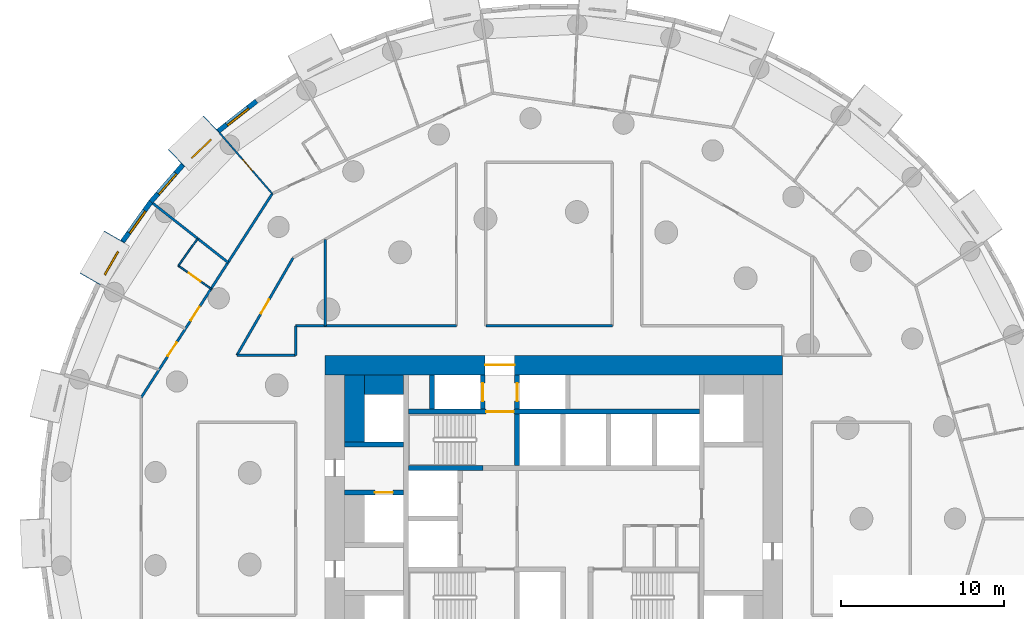
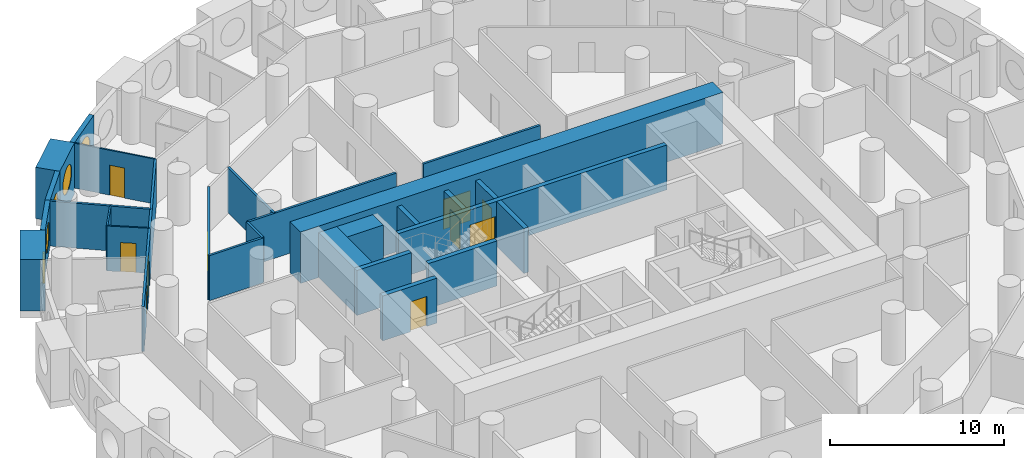
# One storey, part 7 of 12: 27 walls, 10 doors, 5 windows, 15 openings.
"""IFC4 building model written with IfcOpenShell, lengths in metres."""

from ifc_helpers import new_model, si_unit, direction, frame, frame_2d, origin, origin_2d, place, context, subcontext, project, spatial, rectangle, circle, extrude, material, layer, layer_set, type_object, element, fill, save


model = new_model("IFC4")

# Units and contexts
model_context = context("Model", 3, precision=1e-05, world=origin(), true_north=direction((0.0, 1.0)))
body_context = subcontext(model_context, "Body", "Model", "MODEL_VIEW")
ifc_project = project(units=[si_unit("LENGTHUNIT", "METRE"), si_unit("AREAUNIT", "SQUARE_METRE"), si_unit("VOLUMEUNIT", "CUBIC_METRE"), si_unit("PLANEANGLEUNIT", "RADIAN"), si_unit("MASSUNIT", "GRAM", prefix="KILO")], contexts=[model_context])

# Site, building, storey
site_placement = place(None, origin())
site = spatial("IfcSite", under=ifc_project, at=site_placement, CompositionType="ELEMENT")
building_placement = place(site_placement, origin())
building = spatial("IfcBuilding", under=site, at=building_placement, Name="Tracery Tower", CompositionType="ELEMENT")
storey_placement = place(building_placement, frame((0.0, 0.0, 82.199951171875)))
storey = spatial("IfcBuildingStorey", under=building, at=storey_placement, Name="L20", CompositionType="ELEMENT", Elevation=82.199951171875)

# Walls
ifc_material_1 = material(Name="Concrete C60/75", Category="concrete")
ifc_layer_1 = layer(ifc_material_1, 1.199951171875)
ifc_layer_set_1 = layer_set([ifc_layer_1], Name="Core strip wall 1200 C60")
wall_type_1 = type_object("IfcWallType", Name="Core strip wall 1200 C60", PredefinedType="SOLIDWALL", material=ifc_layer_set_1)
wall_1_placement = place(storey_placement, frame((-12.199951171875, 4.699951171875, 0.0), z_axis=(0.0, 0.0, 1.0), x_axis=(0.0, 1.0, 0.0)))
element("IfcWall", 1, at=wall_1_placement, inside=storey, type_object=wall_type_1, Name="L20 wing strip -1 4.55", PredefinedType="SOLIDWALL", context=body_context, shape_type="SweptSolid", body=[
    extrude(rectangle(XDim=4.10009765625, YDim=1.199951171875, at=frame_2d((2.050048828125, 0.0))), origin(), (0.0, 0.0, 1.0), 3.150146484375),
])
wall_2_placement = place(storey_placement, frame((-11.60009765625, 8.199951171875, 0.0), z_axis=(0.0, 0.0, 1.0), x_axis=(1.0, 0.0, 0.0)))
element("IfcWall", 2, at=wall_2_placement, inside=storey, type_object=wall_type_1, Name="L20 wing corner -1 +8.2", PredefinedType="SOLIDWALL", context=body_context, shape_type="SweptSolid", body=[
    extrude(rectangle(XDim=2.400146484375, YDim=1.199951171875, at=frame_2d((1.2001953125, 0.0))), origin(), (0.0, 0.0, 1.0), 3.150146484375),
])

# Wall, opening, door
ifc_material_2 = material(Name="Concrete C60/75", Category="concrete")
ifc_layer_2 = layer(ifc_material_2, 1.199951171875)
ifc_layer_set_2 = layer_set([ifc_layer_2], Name="Core wall 1200 C60")
wall_type_2 = type_object("IfcWallType", Name="Core wall 1200 C60", PredefinedType="SOLIDWALL", material=ifc_layer_set_2)
wall_3_placement = place(storey_placement, frame((-14.0, 9.39990234375, 0.0), z_axis=(0.0, 0.0, 1.0), x_axis=(1.0, 0.0, 0.0)))
wall_3 = element("IfcWall", 3, at=wall_3_placement, inside=storey, type_object=wall_type_2, Name="L20 outer N", PredefinedType="SOLIDWALL", context=body_context, shape_type="SweptSolid", body=[
    extrude(rectangle(XDim=28.0, YDim=1.199951171875, at=frame_2d((14.0, 0.0))), origin(), (0.0, 0.0, 1.0), 3.60009765625),
])
opening_1_placement = place(wall_3_placement, frame((9.800048828125, 0.0, 0.0)))
opening_1 = element("IfcOpeningElement", 4, at=opening_1_placement, cuts=wall_3, Name="Opening KD13", PredefinedType="OPENING", context=body_context, shape_type="SweptSolid", body=[
    extrude(rectangle(XDim=1.800048828125, YDim=2.10009765625, at=frame_2d((0.89990234375, 1.050048828125))), frame((0.0, 0.60009765625, 0.0), z_axis=(0.0, -1.0, 0.0), x_axis=(1.0, 0.0, 0.0)), (0.0, 0.0, 1.0), 1.199951171875),
])
ifc_material_3 = material(Name="Steel fire door", Category="steel")
door_type_1 = type_object("IfcDoorType", Name="Core exit door 1800 double", OperationType="NOTDEFINED", PredefinedType="DOOR", material=ifc_material_3)
door_1_placement = place(opening_1_placement, origin())
door_1 = element("IfcDoor", 5, at=door_1_placement, inside=storey, type_object=door_type_1, Name="Core exit door", OperationType="DOUBLE_DOOR_SINGLE_SWING", OverallHeight=2.10009765625, OverallWidth=1.800048828125, PredefinedType="DOOR", context=body_context, shape_type="SweptSolid", body=[
    extrude(rectangle(XDim=1.800048828125, YDim=2.10009765625, at=frame_2d((0.89990234375, 1.050048828125))), frame((0.0, 0.02490234375, 0.0), z_axis=(0.0, -1.0, 0.0), x_axis=(1.0, 0.0, 0.0)), (0.0, 0.0, 1.0), 0.050048828125),
])
fill(opening_1, door_1)

# Wall, opening, window
ifc_material_4 = material(Name="Precast concrete C50/60", Category="concrete")
ifc_layer_3 = layer(ifc_material_4, 1.449951171875)
ifc_layer_set_3 = layer_set([ifc_layer_3], Name="Deep-set bay unit 3000 x 3600, slab edge 450")
wall_type_3 = type_object("IfcWallType", Name="Deep-set bay unit 3000 x 3600, slab edge 450", PredefinedType="ELEMENTEDWALL", material=ifc_layer_set_3)
wall_4_placement = place(storey_placement, frame((-20.9375, 24.13232421875, -0.449951171875), z_axis=(0.0, 0.0, 1.0), x_axis=(-0.723712023899, -0.690102098579, 0.0)))
wall_4 = element("IfcWall", 6, at=wall_4_placement, inside=storey, type_object=wall_type_3, Name="Deep-set bay unit 25 at L20", PredefinedType="ELEMENTEDWALL", context=body_context, shape_type="SweptSolid", body=[
    extrude(rectangle(XDim=3.0, YDim=1.449951171875, at=frame_2d((1.5, 0.0))), origin(), (0.0, 0.0, 1.0), 3.60009765625),
])
opening_2_placement = place(wall_4_placement, frame((1.5, 0.0, 2.0)))
opening_2 = element("IfcOpeningElement", 7, at=opening_2_placement, cuts=wall_4, Name="Opening WN1", PredefinedType="OPENING", context=body_context, shape_type="SweptSolid", body=[
    extrude(circle(Radius=0.9000244140625, at=origin_2d()), frame((0.0, 0.73486328125, 0.0), z_axis=(0.0, -1.0, 0.0), x_axis=(1.0, 0.0, 0.0)), (0.0, 0.0, 1.0), 1.469970703125),
])
ifc_material_5 = material(Name="Aluminium frame with tinted double glazing", Category="aluminium")
window_type = type_object("IfcWindowType", Name="Round window 1800", PartitioningType="SINGLE_PANEL", PredefinedType="WINDOW", material=ifc_material_5)
window_1_placement = place(opening_2_placement, origin())
window_1 = element("IfcWindow", 8, at=window_1_placement, inside=storey, type_object=window_type, Name="Round window 25 at L20", OverallHeight=1.800048828125, OverallWidth=1.800048828125, PartitioningType="SINGLE_PANEL", PredefinedType="WINDOW", context=body_context, shape_type="SweptSolid", body=[
    extrude(circle(Radius=0.9000244140625, at=origin_2d()), frame((0.0, 0.69482421875, 0.0), z_axis=(0.0, -1.0, 0.0), x_axis=(1.0, 0.0, 0.0)), (0.0, 0.0, 1.0), 0.10009765625),
])
fill(opening_2, window_1)

wall_5_placement = place(storey_placement, frame((-26.88818359375, 17.256103515625, -0.449951171875), z_axis=(0.0, 0.0, 1.0), x_axis=(-0.499990139034, -0.866031096941, 0.0)))
wall_5 = element("IfcWall", 9, at=wall_5_placement, inside=storey, type_object=wall_type_3, Name="Deep-set bay unit 28 at L20", PredefinedType="ELEMENTEDWALL", context=body_context, shape_type="SweptSolid", body=[
    extrude(rectangle(XDim=3.0, YDim=1.449951171875, at=frame_2d((1.5, 0.0))), origin(), (0.0, 0.0, 1.0), 3.60009765625),
])
opening_3_placement = place(wall_5_placement, frame((1.5, 0.0, 2.0)))
opening_3 = element("IfcOpeningElement", 10, at=opening_3_placement, cuts=wall_5, Name="Opening WN1", PredefinedType="OPENING", context=body_context, shape_type="SweptSolid", body=[
    extrude(circle(Radius=0.9000244140625, at=origin_2d()), frame((0.0, 0.73486328125, 0.0), z_axis=(0.0, -1.0, 0.0), x_axis=(1.0, 0.0, 0.0)), (0.0, 0.0, 1.0), 1.469970703125),
])
window_2_placement = place(opening_3_placement, origin())
window_2 = element("IfcWindow", 11, at=window_2_placement, inside=storey, type_object=window_type, Name="Round window 28 at L20", OverallHeight=1.800048828125, OverallWidth=1.800048828125, PartitioningType="SINGLE_PANEL", PredefinedType="WINDOW", context=body_context, shape_type="SweptSolid", body=[
    extrude(circle(Radius=0.9000244140625, at=origin_2d()), frame((0.0, 0.69482421875, 0.0), z_axis=(0.0, -1.0, 0.0), x_axis=(1.0, 0.0, 0.0)), (0.0, 0.0, 1.0), 0.10009765625),
])
fill(opening_3, window_2)

ifc_material_6 = material(Name="Precast concrete C50/60", Category="concrete")
ifc_layer_4 = layer(ifc_material_6, 0.300048828125)
ifc_layer_set_4 = layer_set([ifc_layer_4], Name="Facade panel 3000 x 3150")
wall_type_4 = type_object("IfcWallType", Name="Facade panel 3000 x 3150", PredefinedType="SOLIDWALL", material=ifc_layer_set_4)
wall_6_placement = place(storey_placement, frame((-18.198974609375, 25.556884765625, 0.0), z_axis=(0.0, 0.0, 1.0), x_axis=(-0.786053834673, -0.618158045322, 0.0)))
wall_6 = element("IfcWall", 12, at=wall_6_placement, inside=storey, type_object=wall_type_4, Name="Facade panel 24 at L20", PredefinedType="SOLIDWALL", context=body_context, shape_type="SweptSolid", body=[
    extrude(rectangle(XDim=2.9794921875, YDim=0.300048828125, at=frame_2d((1.48974609375, 0.0))), origin(), (0.0, 0.0, 1.0), 3.150146484375),
])
opening_4_placement = place(wall_6_placement, frame((1.48974609375, 0.0, 1.5498046875)))
opening_4 = element("IfcOpeningElement", 13, at=opening_4_placement, cuts=wall_6, Name="Opening WN1", PredefinedType="OPENING", context=body_context, shape_type="SweptSolid", body=[
    extrude(circle(Radius=0.9000244140625, at=origin_2d()), frame((0.0, 0.159912109375, 0.0), z_axis=(0.0, -1.0, 0.0), x_axis=(1.0, 0.0, 0.0)), (0.0, 0.0, 1.0), 0.320068359375),
])
window_3_placement = place(opening_4_placement, origin())
window_3 = element("IfcWindow", 14, at=window_3_placement, inside=storey, type_object=window_type, Name="Round window 24 at L20", OverallHeight=1.800048828125, OverallWidth=1.800048828125, PartitioningType="SINGLE_PANEL", PredefinedType="WINDOW", context=body_context, shape_type="SweptSolid", body=[
    extrude(circle(Radius=0.9000244140625, at=origin_2d()), frame((0.0, 0.1201171875, 0.0), z_axis=(0.0, -1.0, 0.0), x_axis=(1.0, 0.0, 0.0)), (0.0, 0.0, 1.0), 0.10009765625),
])
fill(opening_4, window_3)

wall_7_placement = place(storey_placement, frame((-22.710693359375, 21.646240234375, 0.0), z_axis=(0.0, 0.0, 1.0), x_axis=(-0.654830712471, -0.755775587066, 0.0)))
wall_7 = element("IfcWall", 15, at=wall_7_placement, inside=storey, type_object=wall_type_4, Name="Facade panel 26 at L20", PredefinedType="SOLIDWALL", context=body_context, shape_type="SweptSolid", body=[
    extrude(rectangle(XDim=2.979736328125, YDim=0.300048828125, at=frame_2d((1.48974609375, 0.0))), origin(), (0.0, 0.0, 1.0), 3.150146484375),
])
opening_5_placement = place(wall_7_placement, frame((1.48974609375, 0.0, 1.5498046875)))
opening_5 = element("IfcOpeningElement", 16, at=opening_5_placement, cuts=wall_7, Name="Opening WN1", PredefinedType="OPENING", context=body_context, shape_type="SweptSolid", body=[
    extrude(circle(Radius=0.9000244140625, at=origin_2d()), frame((0.0, 0.159912109375, 0.0), z_axis=(0.0, -1.0, 0.0), x_axis=(1.0, 0.0, 0.0)), (0.0, 0.0, 1.0), 0.320068359375),
])
window_4_placement = place(opening_5_placement, origin())
window_4 = element("IfcWindow", 17, at=window_4_placement, inside=storey, type_object=window_type, Name="Round window 26 at L20", OverallHeight=1.800048828125, OverallWidth=1.800048828125, PartitioningType="SINGLE_PANEL", PredefinedType="WINDOW", context=body_context, shape_type="SweptSolid", body=[
    extrude(circle(Radius=0.9000244140625, at=origin_2d()), frame((0.0, 0.1201171875, 0.0), z_axis=(0.0, -1.0, 0.0), x_axis=(1.0, 0.0, 0.0)), (0.0, 0.0, 1.0), 0.10009765625),
])
fill(opening_5, window_4)

wall_8_placement = place(storey_placement, frame((-24.661865234375, 19.394287109375, 0.0), z_axis=(0.0, 0.0, 1.0), x_axis=(-0.580113774115, -0.814535456, 0.0)))
wall_8 = element("IfcWall", 18, at=wall_8_placement, inside=storey, type_object=wall_type_4, Name="Facade panel 27 at L20", PredefinedType="SOLIDWALL", context=body_context, shape_type="SweptSolid", body=[
    extrude(rectangle(XDim=2.979736328125, YDim=0.300048828125, at=frame_2d((1.48974609375, 0.0))), origin(), (0.0, 0.0, 1.0), 3.150146484375),
])
opening_6_placement = place(wall_8_placement, frame((1.48974609375, 0.0, 1.5498046875)))
opening_6 = element("IfcOpeningElement", 19, at=opening_6_placement, cuts=wall_8, Name="Opening WN1", PredefinedType="OPENING", context=body_context, shape_type="SweptSolid", body=[
    extrude(circle(Radius=0.9000244140625, at=origin_2d()), frame((0.0, 0.159912109375, 0.0), z_axis=(0.0, -1.0, 0.0), x_axis=(1.0, 0.0, 0.0)), (0.0, 0.0, 1.0), 0.320068359375),
])
window_5_placement = place(opening_6_placement, origin())
window_5 = element("IfcWindow", 20, at=window_5_placement, inside=storey, type_object=window_type, Name="Round window 27 at L20", OverallHeight=1.800048828125, OverallWidth=1.800048828125, PartitioningType="SINGLE_PANEL", PredefinedType="WINDOW", context=body_context, shape_type="SweptSolid", body=[
    extrude(circle(Radius=0.9000244140625, at=origin_2d()), frame((0.0, 0.1201171875, 0.0), z_axis=(0.0, -1.0, 0.0), x_axis=(1.0, 0.0, 0.0)), (0.0, 0.0, 1.0), 0.10009765625),
])
fill(opening_6, window_5)

# Wall, opening, door
ifc_material_7 = material(Name="Plasterboard on steel studs", Category="steel")
ifc_layer_5 = layer(ifc_material_7, 0.10009765625)
ifc_layer_set_5 = layer_set([ifc_layer_5], Name="Partition 100 stud")
wall_type_5 = type_object("IfcWallType", Name="Partition 100 stud", PredefinedType="PARTITIONING", material=ifc_layer_set_5)
wall_9_placement = place(storey_placement, frame((-20.447998046875, 23.597900390625, 0.0), z_axis=(0.0, 0.0, 1.0), x_axis=(0.654847179409, -0.755761319214, 0.0)))
wall_9 = element("IfcWall", 21, at=wall_9_placement, inside=storey, type_object=wall_type_5, Name="Stud partition RA6-081", PredefinedType="PARTITIONING", context=body_context, shape_type="SweptSolid", body=[
    extrude(rectangle(XDim=4.90625, YDim=0.10009765625, at=frame_2d((2.453125, 0.0))), origin(), (0.0, 0.0, 1.0), 3.150146484375),
])
opening_7_placement = place(wall_9_placement, frame((2.1533203125, 0.0, 0.0)))
opening_7 = element("IfcOpeningElement", 22, at=opening_7_placement, cuts=wall_9, Name="Opening RA6-28", PredefinedType="OPENING", context=body_context, shape_type="SweptSolid", body=[
    extrude(rectangle(XDim=0.89990234375, YDim=2.10009765625, at=frame_2d((0.449951171875, 1.050048828125))), frame((0.0, 0.050048828125, 0.0), z_axis=(0.0, -1.0, 0.0), x_axis=(1.0, 0.0, 0.0)), (0.0, 0.0, 1.0), 0.10009765625),
])
ifc_material_8 = material(Name="Timber door leaf", Category="wood")
door_type_2 = type_object("IfcDoorType", Name="Door bedroom 900", OperationType="NOTDEFINED", PredefinedType="DOOR", material=ifc_material_8)
door_2_placement = place(opening_7_placement, origin())
door_2 = element("IfcDoor", 23, at=door_2_placement, inside=storey, type_object=door_type_2, Name="Bedroom door RA6-28", OperationType="SINGLE_SWING_LEFT", OverallHeight=2.10009765625, OverallWidth=0.89990234375, PredefinedType="DOOR", context=body_context, shape_type="SweptSolid", body=[
    extrude(rectangle(XDim=0.89990234375, YDim=2.10009765625, at=frame_2d((0.449951171875, 1.050048828125))), frame((0.0, 0.02490234375, 0.0), z_axis=(0.0, -1.0, 0.0), x_axis=(1.0, 0.0, 0.0)), (0.0, 0.0, 1.0), 0.050048828125),
])
fill(opening_7, door_2)

# Wall
ifc_material_9 = material(Name="Plasterboard on steel studs", Category="steel")
ifc_layer_6 = layer(ifc_material_9, 0.10009765625)
ifc_layer_set_6 = layer_set([ifc_layer_6], Name="Partition 100 wet wall")
wall_type_6 = type_object("IfcWallType", Name="Partition 100 wet wall", PredefinedType="PARTITIONING", material=ifc_layer_set_6)
wall_10_placement = place(storey_placement, frame((-22.97802734375, 15.486083984375, 0.0), z_axis=(0.0, 0.0, 1.0), x_axis=(0.580283748447, 0.814414373208, 0.0)))
element("IfcWall", 24, at=wall_10_placement, inside=storey, type_object=wall_type_6, Name="Wet wall RA6-085", PredefinedType="PARTITIONING", context=body_context, shape_type="SweptSolid", body=[
    extrude(rectangle(XDim=2.033447265625, YDim=0.10009765625, at=frame_2d((1.0166015625, 0.0))), origin(), (0.0, 0.0, 1.0), 3.150146484375),
])

# Wall, opening, door
wall_11_placement = place(storey_placement, frame((-22.97802734375, 15.486083984375, 0.0), z_axis=(0.0, 0.0, 1.0), x_axis=(0.814519517834, -0.580136152181, 0.0)))
wall_11 = element("IfcWall", 25, at=wall_11_placement, inside=storey, type_object=wall_type_6, Name="Wet wall RA6-086", PredefinedType="PARTITIONING", context=body_context, shape_type="SweptSolid", body=[
    extrude(rectangle(XDim=2.453125, YDim=0.10009765625, at=frame_2d((1.2265625, 0.0))), origin(), (0.0, 0.0, 1.0), 3.150146484375),
])
opening_8_placement = place(wall_11_placement, frame((0.77587890625, 0.0, 0.0)))
opening_8 = element("IfcOpeningElement", 26, at=opening_8_placement, cuts=wall_11, Name="Opening RA6-31", PredefinedType="OPENING", context=body_context, shape_type="SweptSolid", body=[
    extrude(rectangle(XDim=0.89990234375, YDim=2.0400390625, at=frame_2d((0.449951171875, 1.02001953125))), frame((0.0, 0.050048828125, 0.0), z_axis=(0.0, -1.0, 0.0), x_axis=(1.0, 0.0, 0.0)), (0.0, 0.0, 1.0), 0.10009765625),
])
ifc_material_10 = material(Name="Timber door leaf", Category="wood")
door_type_3 = type_object("IfcDoorType", Name="Door en-suite 900", OperationType="NOTDEFINED", PredefinedType="DOOR", material=ifc_material_10)
door_3_placement = place(opening_8_placement, origin())
door_3 = element("IfcDoor", 27, at=door_3_placement, inside=storey, type_object=door_type_3, Name="En-suite door RA6-31", OperationType="SINGLE_SWING_LEFT", OverallHeight=2.0400390625, OverallWidth=0.89990234375, PredefinedType="DOOR", context=body_context, shape_type="SweptSolid", body=[
    extrude(rectangle(XDim=0.89990234375, YDim=2.0400390625, at=frame_2d((0.449951171875, 1.02001953125))), frame((0.0, 0.02490234375, 0.0), z_axis=(0.0, -1.0, 0.0), x_axis=(1.0, 0.0, 0.0)), (0.0, 0.0, 1.0), 0.050048828125),
])
fill(opening_8, door_3)

# Walls
ifc_material_11 = material(Name="Plasterboard on steel studs", Category="steel")
ifc_layer_7 = layer(ifc_material_11, 0.14990234375)
ifc_layer_set_7 = layer_set([ifc_layer_7], Name="Partition 150 acoustic unit wall")
wall_type_7 = type_object("IfcWallType", Name="Partition 150 acoustic unit wall", PredefinedType="PARTITIONING", material=ifc_layer_set_7)
wall_12_placement = place(storey_placement, frame((-14.0, 11.800048828125, 0.0), z_axis=(0.0, 0.0, 1.0), x_axis=(0.0, 1.0, 0.0)))
element("IfcWall", 28, at=wall_12_placement, inside=storey, type_object=wall_type_7, Name="Unit wall RA6-054", PredefinedType="PARTITIONING", context=body_context, shape_type="SweptSolid", body=[
    extrude(rectangle(XDim=5.2919921875, YDim=0.14990234375, at=frame_2d((2.64599609375, 0.0))), origin(), (0.0, 0.0, 1.0), 3.150146484375),
])
wall_13_placement = place(storey_placement, frame((-24.5439453125, 19.302001953125, 0.0), z_axis=(0.0, 0.0, 1.0), x_axis=(0.786034767432, -0.618182290581, 0.0)))
element("IfcWall", 29, at=wall_13_placement, inside=storey, type_object=wall_type_7, Name="Unit wall RA6-084", PredefinedType="PARTITIONING", context=body_context, shape_type="SweptSolid", body=[
    extrude(rectangle(XDim=5.857177734375, YDim=0.14990234375, at=frame_2d((2.9287109375, 0.0))), origin(), (0.0, 0.0, 1.0), 3.150146484375),
])
ifc_material_12 = material(Name="Plasterboard on steel studs", Category="steel")
ifc_layer_8 = layer(ifc_material_12, 0.14990234375)
ifc_layer_set_8 = layer_set([ifc_layer_8], Name="Partition 150 corridor wall")
wall_type_8 = type_object("IfcWallType", Name="Partition 150 corridor wall", PredefinedType="PARTITIONING", material=ifc_layer_set_8)
wall_14_placement = place(storey_placement, frame((-15.800048828125, 11.800048828125, 0.0), z_axis=(0.0, 0.0, 1.0), x_axis=(1.0, 0.0, 0.0)))
element("IfcWall", 30, at=wall_14_placement, inside=storey, type_object=wall_type_8, Name="Corridor wall RA6-001", PredefinedType="PARTITIONING", context=body_context, shape_type="SweptSolid", body=[
    extrude(rectangle(XDim=9.843994140625, YDim=0.14990234375, at=frame_2d((4.921875, 0.0))), origin(), (0.0, 0.0, 1.0), 3.150146484375),
])
wall_15_placement = place(storey_placement, frame((-4.1640625, 11.800048828125, 0.0), z_axis=(0.0, 0.0, 1.0), x_axis=(1.0, 0.0, 0.0)))
element("IfcWall", 31, at=wall_15_placement, inside=storey, type_object=wall_type_8, Name="Corridor wall RA6-002", PredefinedType="PARTITIONING", context=body_context, shape_type="SweptSolid", body=[
    extrude(rectangle(XDim=7.744140625, YDim=0.14990234375, at=frame_2d((3.8720703125, 0.0))), origin(), (0.0, 0.0, 1.0), 3.150146484375),
])
wall_16_placement = place(storey_placement, frame((-15.800048828125, 10.0, 0.0), z_axis=(0.0, 0.0, 1.0), x_axis=(0.0, 1.0, 0.0)))
element("IfcWall", 32, at=wall_16_placement, inside=storey, type_object=wall_type_8, Name="Corridor wall RA6-005", PredefinedType="PARTITIONING", context=body_context, shape_type="SweptSolid", body=[
    extrude(rectangle(XDim=1.800048828125, YDim=0.14990234375, at=frame_2d((0.89990234375, 0.0))), origin(), (0.0, 0.0, 1.0), 3.150146484375),
])

# Wall, openings, doors
wall_17_placement = place(storey_placement, frame((-25.2548828125, 7.416259765625, 0.0), z_axis=(0.0, 0.0, 1.0), x_axis=(0.540805851332, 0.841147449123, 0.0)))
wall_17 = element("IfcWall", 33, at=wall_17_placement, inside=storey, type_object=wall_type_8, Name="Corridor wall RA6-034", PredefinedType="PARTITIONING", context=body_context, shape_type="SweptSolid", body=[
    extrude(rectangle(XDim=14.829345703125, YDim=0.14990234375, at=frame_2d((7.41455078125, 0.0))), origin(), (0.0, 0.0, 1.0), 3.150146484375),
])
opening_9_placement = place(wall_17_placement, frame((5.602783203125, 0.0, 0.0)))
opening_9 = element("IfcOpeningElement", 34, at=opening_9_placement, cuts=wall_17, Name="Opening RA6-32", PredefinedType="OPENING", context=body_context, shape_type="SweptSolid", body=[
    extrude(rectangle(XDim=1.0, YDim=2.10009765625, at=frame_2d((0.5, 1.050048828125))), frame((0.0, 0.074951171875, 0.0), z_axis=(0.0, -1.0, 0.0), x_axis=(1.0, 0.0, 0.0)), (0.0, 0.0, 1.0), 0.14990234375),
])
opening_10_placement = place(wall_17_placement, frame((3.0126953125, 0.0, 0.0)))
opening_10 = element("IfcOpeningElement", 35, at=opening_10_placement, cuts=wall_17, Name="Opening RA6-34", PredefinedType="OPENING", context=body_context, shape_type="SweptSolid", body=[
    extrude(rectangle(XDim=1.0, YDim=2.10009765625, at=frame_2d((0.5, 1.050048828125))), frame((0.0, 0.074951171875, 0.0), z_axis=(0.0, -1.0, 0.0), x_axis=(1.0, 0.0, 0.0)), (0.0, 0.0, 1.0), 0.14990234375),
])
ifc_material_13 = material(Name="Timber door leaf", Category="wood")
door_type_4 = type_object("IfcDoorType", Name="Door unit entrance 1000", OperationType="NOTDEFINED", PredefinedType="DOOR", material=ifc_material_13)
door_4_placement = place(opening_9_placement, origin())
door_4 = element("IfcDoor", 36, at=door_4_placement, inside=storey, type_object=door_type_4, Name="Unit entrance door RA6-32", OperationType="SINGLE_SWING_LEFT", OverallHeight=2.10009765625, OverallWidth=1.0, PredefinedType="DOOR", context=body_context, shape_type="SweptSolid", body=[
    extrude(rectangle(XDim=1.0, YDim=2.10009765625, at=frame_2d((0.5, 1.050048828125))), frame((0.0, 0.02490234375, 0.0), z_axis=(0.0, -1.0, 0.0), x_axis=(1.0, 0.0, 0.0)), (0.0, 0.0, 1.0), 0.050048828125),
])
fill(opening_9, door_4)
door_5_placement = place(opening_10_placement, origin())
door_5 = element("IfcDoor", 37, at=door_5_placement, inside=storey, type_object=door_type_4, Name="Unit entrance door RA6-34", OperationType="SINGLE_SWING_LEFT", OverallHeight=2.10009765625, OverallWidth=1.0, PredefinedType="DOOR", context=body_context, shape_type="SweptSolid", body=[
    extrude(rectangle(XDim=1.0, YDim=2.10009765625, at=frame_2d((0.5, 1.050048828125))), frame((0.0, 0.02490234375, 0.0), z_axis=(0.0, -1.0, 0.0), x_axis=(1.0, 0.0, 0.0)), (0.0, 0.0, 1.0), 0.050048828125),
])
fill(opening_10, door_5)

# Wall, opening, door
wall_18_placement = place(storey_placement, frame((-19.40087890625, 10.0, 0.0), z_axis=(0.0, 0.0, 1.0), x_axis=(0.499992689227, 0.86602962462, 0.0)))
wall_18 = element("IfcWall", 38, at=wall_18_placement, inside=storey, type_object=wall_type_8, Name="Corridor wall RA6-040", PredefinedType="PARTITIONING", context=body_context, shape_type="SweptSolid", body=[
    extrude(rectangle(XDim=6.8818359375, YDim=0.14990234375, at=frame_2d((3.44091796875, 0.0))), origin(), (0.0, 0.0, 1.0), 3.150146484375),
])
opening_11_placement = place(wall_18_placement, frame((2.94091796875, 0.0, 0.0)))
opening_11 = element("IfcOpeningElement", 39, at=opening_11_placement, cuts=wall_18, Name="Opening RA6-11", PredefinedType="OPENING", context=body_context, shape_type="SweptSolid", body=[
    extrude(rectangle(XDim=1.0, YDim=2.0400390625, at=frame_2d((0.5, 1.02001953125))), frame((0.0, 0.074951171875, 0.0), z_axis=(0.0, -1.0, 0.0), x_axis=(1.0, 0.0, 0.0)), (0.0, 0.0, 1.0), 0.14990234375),
])
ifc_material_14 = material(Name="Timber door leaf", Category="wood")
door_type_5 = type_object("IfcDoorType", Name="Door communal room 1000", OperationType="NOTDEFINED", PredefinedType="DOOR", material=ifc_material_14)
door_6_placement = place(opening_11_placement, origin())
door_6 = element("IfcDoor", 40, at=door_6_placement, inside=storey, type_object=door_type_5, Name="Communal room door RA6-11", OperationType="SINGLE_SWING_LEFT", OverallHeight=2.0400390625, OverallWidth=1.0, PredefinedType="DOOR", context=body_context, shape_type="SweptSolid", body=[
    extrude(rectangle(XDim=1.0, YDim=2.0400390625, at=frame_2d((0.5, 1.02001953125))), frame((0.0, 0.02490234375, 0.0), z_axis=(0.0, -1.0, 0.0), x_axis=(1.0, 0.0, 0.0)), (0.0, 0.0, 1.0), 0.050048828125),
])
fill(opening_11, door_6)

# Walls
wall_19_placement = place(storey_placement, frame((-19.40087890625, 10.0, 0.0), z_axis=(0.0, 0.0, 1.0), x_axis=(1.0, 0.0, 0.0)))
element("IfcWall", 41, at=wall_19_placement, inside=storey, type_object=wall_type_8, Name="Corridor wall RA6-041", PredefinedType="PARTITIONING", context=body_context, shape_type="SweptSolid", body=[
    extrude(rectangle(XDim=3.600830078125, YDim=0.14990234375, at=frame_2d((1.80029296875, 0.0))), origin(), (0.0, 0.0, 1.0), 3.150146484375),
])
ifc_material_15 = material(Name="Concrete C60/75", Category="concrete")
ifc_layer_9 = layer(ifc_material_15, 0.300048828125)
ifc_layer_set_9 = layer_set([ifc_layer_9], Name="Shaft wall 300 C60")
wall_type_9 = type_object("IfcWallType", Name="Shaft wall 300 C60", PredefinedType="SOLIDWALL", material=ifc_layer_set_9)
wall_20_placement = place(storey_placement, frame((-7.449951171875, 6.699951171875, 0.0), z_axis=(0.0, 0.0, 1.0), x_axis=(0.0, 1.0, 0.0)))
element("IfcWall", 42, at=wall_20_placement, inside=storey, type_object=wall_type_9, Name="L20 LR sep -7.45", PredefinedType="SOLIDWALL", context=body_context, shape_type="SweptSolid", body=[
    extrude(rectangle(XDim=2.10009765625, YDim=0.300048828125, at=frame_2d((1.050048828125, 0.0))), origin(), (0.0, 0.0, 1.0), 3.150146484375),
])

# Wall, opening, door
wall_21_placement = place(storey_placement, frame((-4.35009765625, 6.699951171875, 0.0), z_axis=(0.0, 0.0, 1.0), x_axis=(0.0, 1.0, 0.0)))
wall_21 = element("IfcWall", 43, at=wall_21_placement, inside=storey, type_object=wall_type_9, Name="L20 LR sep -4.35", PredefinedType="SOLIDWALL", context=body_context, shape_type="SweptSolid", body=[
    extrude(rectangle(XDim=2.10009765625, YDim=0.300048828125, at=frame_2d((1.050048828125, 0.0))), origin(), (0.0, 0.0, 1.0), 3.150146484375),
])
opening_12_placement = place(wall_21_placement, frame((0.5, 0.0, 0.0)))
opening_12 = element("IfcOpeningElement", 44, at=opening_12_placement, cuts=wall_21, Name="Opening KD50", PredefinedType="OPENING", context=body_context, shape_type="SweptSolid", body=[
    extrude(rectangle(XDim=1.10009765625, YDim=2.10009765625, at=frame_2d((0.550048828125, 1.050048828125))), frame((0.0, 0.14990234375, 0.0), z_axis=(0.0, -1.0, 0.0), x_axis=(1.0, 0.0, 0.0)), (0.0, 0.0, 1.0), 0.300048828125),
])
ifc_material_16 = material(Name="Steel fire door", Category="steel")
door_type_6 = type_object("IfcDoorType", Name="Landing door 1100", OperationType="NOTDEFINED", PredefinedType="DOOR", material=ifc_material_16)
door_7_placement = place(opening_12_placement, origin())
door_7 = element("IfcDoor", 45, at=door_7_placement, inside=storey, type_object=door_type_6, Name="Landing door LR3", OperationType="SLIDING_TO_RIGHT", OverallHeight=2.10009765625, OverallWidth=1.10009765625, PredefinedType="DOOR", context=body_context, shape_type="SweptSolid", body=[
    extrude(rectangle(XDim=1.10009765625, YDim=2.10009765625, at=frame_2d((0.550048828125, 1.050048828125))), frame((0.0, 0.02490234375, 0.0), z_axis=(0.0, -1.0, 0.0), x_axis=(1.0, 0.0, 0.0)), (0.0, 0.0, 1.0), 0.050048828125),
])
fill(opening_12, door_7)

# Wall
wall_22_placement = place(storey_placement, frame((-12.800048828125, 4.550048828125, 0.0), z_axis=(0.0, 0.0, 1.0), x_axis=(1.0, 0.0, 0.0)))
element("IfcWall", 46, at=wall_22_placement, inside=storey, type_object=wall_type_9, Name="L20 wing shaft wall -1 +4.55", PredefinedType="SOLIDWALL", context=body_context, shape_type="SweptSolid", body=[
    extrude(rectangle(XDim=3.60009765625, YDim=0.300048828125, at=frame_2d((1.800048828125, 0.0))), origin(), (0.0, 0.0, 1.0), 3.150146484375),
])

# Wall, opening, door
wall_23_placement = place(storey_placement, frame((-12.800048828125, 1.60009765625, 0.0), z_axis=(0.0, 0.0, 1.0), x_axis=(1.0, 0.0, 0.0)))
wall_23 = element("IfcWall", 47, at=wall_23_placement, inside=storey, type_object=wall_type_9, Name="L20 wing shaft wall -1 +1.60", PredefinedType="SOLIDWALL", context=body_context, shape_type="SweptSolid", body=[
    extrude(rectangle(XDim=3.60009765625, YDim=0.300048828125, at=frame_2d((1.800048828125, 0.0))), origin(), (0.0, 0.0, 1.0), 3.150146484375),
])
opening_13_placement = place(wall_23_placement, frame((1.85009765625, 0.0, 0.0)))
opening_13 = element("IfcOpeningElement", 48, at=opening_13_placement, cuts=wall_23, Name="Opening KD50", PredefinedType="OPENING", context=body_context, shape_type="SweptSolid", body=[
    extrude(rectangle(XDim=1.10009765625, YDim=2.10009765625, at=frame_2d((0.550048828125, 1.050048828125))), frame((0.0, 0.14990234375, 0.0), z_axis=(0.0, -1.0, 0.0), x_axis=(1.0, 0.0, 0.0)), (0.0, 0.0, 1.0), 0.300048828125),
])
door_8_placement = place(opening_13_placement, origin())
door_8 = element("IfcDoor", 49, at=door_8_placement, inside=storey, type_object=door_type_6, Name="Landing door LR1", OperationType="SLIDING_TO_RIGHT", OverallHeight=2.10009765625, OverallWidth=1.10009765625, PredefinedType="DOOR", context=body_context, shape_type="SweptSolid", body=[
    extrude(rectangle(XDim=1.10009765625, YDim=2.10009765625, at=frame_2d((0.550048828125, 1.050048828125))), frame((0.0, 0.02490234375, 0.0), z_axis=(0.0, -1.0, 0.0), x_axis=(1.0, 0.0, 0.0)), (0.0, 0.0, 1.0), 0.050048828125),
])
fill(opening_13, door_8)

# Walls
ifc_material_17 = material(Name="Concrete C60/75", Category="concrete")
ifc_layer_10 = layer(ifc_material_17, 0.300048828125)
ifc_layer_set_10 = layer_set([ifc_layer_10], Name="Stair wall 300 C60")
wall_type_10 = type_object("IfcWallType", Name="Stair wall 300 C60", PredefinedType="SOLIDWALL", material=ifc_layer_set_10)
wall_24_placement = place(storey_placement, frame((-8.89990234375, 3.10009765625, 0.0), z_axis=(0.0, 0.0, 1.0), x_axis=(1.0, 0.0, 0.0)))
element("IfcWall", 50, at=wall_24_placement, inside=storey, type_object=wall_type_10, Name="L20 row N W", PredefinedType="SOLIDWALL", context=body_context, shape_type="SweptSolid", body=[
    extrude(rectangle(XDim=4.5498046875, YDim=0.300048828125, at=frame_2d((2.27490234375, 0.0))), origin(), (0.0, 0.0, 1.0), 3.150146484375),
])
wall_25_placement = place(storey_placement, frame((-2.25, 3.25, 0.0), z_axis=(0.0, 0.0, 1.0), x_axis=(0.0, 1.0, 0.0)))
element("IfcWall", 51, at=wall_25_placement, inside=storey, type_object=wall_type_10, Name="L20 ST3 E", PredefinedType="SOLIDWALL", context=body_context, shape_type="SweptSolid", body=[
    extrude(rectangle(XDim=3.14990234375, YDim=0.300048828125, at=frame_2d((1.574951171875, 0.0))), origin(), (0.0, 0.0, 1.0), 3.150146484375),
])

# Wall, opening, door
wall_26_placement = place(storey_placement, frame((-8.89990234375, 6.550048828125, 0.0), z_axis=(0.0, 0.0, 1.0), x_axis=(1.0, 0.0, 0.0)))
wall_26 = element("IfcWall", 52, at=wall_26_placement, inside=storey, type_object=wall_type_10, Name="L20 F N", PredefinedType="SOLIDWALL", context=body_context, shape_type="SweptSolid", body=[
    extrude(rectangle(XDim=17.7998046875, YDim=0.300048828125, at=frame_2d((8.89990234375, 0.0))), origin(), (0.0, 0.0, 1.0), 3.150146484375),
])
opening_14_placement = place(wall_26_placement, frame((4.75, 0.0, 0.0)))
opening_14 = element("IfcOpeningElement", 53, at=opening_14_placement, cuts=wall_26, Name="Opening KD3", PredefinedType="OPENING", context=body_context, shape_type="SweptSolid", body=[
    extrude(rectangle(XDim=1.699951171875, YDim=2.10009765625, at=frame_2d((0.85009765625, 1.050048828125))), frame((0.0, 0.14990234375, 0.0), z_axis=(0.0, -1.0, 0.0), x_axis=(1.0, 0.0, 0.0)), (0.0, 0.0, 1.0), 0.300048828125),
])
ifc_material_18 = material(Name="Steel fire door", Category="steel")
door_type_7 = type_object("IfcDoorType", Name="Core stair door 1700 double", OperationType="NOTDEFINED", PredefinedType="DOOR", material=ifc_material_18)
door_9_placement = place(opening_14_placement, origin())
door_9 = element("IfcDoor", 54, at=door_9_placement, inside=storey, type_object=door_type_7, Name="Stair door ST3 N", OperationType="DOUBLE_DOOR_SINGLE_SWING", OverallHeight=2.10009765625, OverallWidth=1.699951171875, PredefinedType="DOOR", context=body_context, shape_type="SweptSolid", body=[
    extrude(rectangle(XDim=1.699951171875, YDim=2.10009765625, at=frame_2d((0.85009765625, 1.050048828125))), frame((0.0, 0.02490234375, 0.0), z_axis=(0.0, -1.0, 0.0), x_axis=(1.0, 0.0, 0.0)), (0.0, 0.0, 1.0), 0.050048828125),
])
fill(opening_14, door_9)

wall_27_placement = place(storey_placement, frame((-2.25, 6.699951171875, 0.0), z_axis=(0.0, 0.0, 1.0), x_axis=(0.0, 1.0, 0.0)))
wall_27 = element("IfcWall", 55, at=wall_27_placement, inside=storey, type_object=wall_type_10, Name="L20 ST3 E out", PredefinedType="SOLIDWALL", context=body_context, shape_type="SweptSolid", body=[
    extrude(rectangle(XDim=2.10009765625, YDim=0.300048828125, at=frame_2d((1.050048828125, 0.0))), origin(), (0.0, 0.0, 1.0), 3.150146484375),
])
opening_15_placement = place(wall_27_placement, frame((0.5, 0.0, 0.0)))
opening_15 = element("IfcOpeningElement", 56, at=opening_15_placement, cuts=wall_27, Name="Opening KD49", PredefinedType="OPENING", context=body_context, shape_type="SweptSolid", body=[
    extrude(rectangle(XDim=1.10009765625, YDim=2.10009765625, at=frame_2d((0.550048828125, 1.050048828125))), frame((0.0, 0.14990234375, 0.0), z_axis=(0.0, -1.0, 0.0), x_axis=(1.0, 0.0, 0.0)), (0.0, 0.0, 1.0), 0.300048828125),
])
door_10_placement = place(opening_15_placement, origin())
door_10 = element("IfcDoor", 57, at=door_10_placement, inside=storey, type_object=door_type_6, Name="Landing door LR2", OperationType="SLIDING_TO_LEFT", OverallHeight=2.10009765625, OverallWidth=1.10009765625, PredefinedType="DOOR", context=body_context, shape_type="SweptSolid", body=[
    extrude(rectangle(XDim=1.10009765625, YDim=2.10009765625, at=frame_2d((0.550048828125, 1.050048828125))), frame((0.0, 0.02490234375, 0.0), z_axis=(0.0, -1.0, 0.0), x_axis=(1.0, 0.0, 0.0)), (0.0, 0.0, 1.0), 0.050048828125),
])
fill(opening_15, door_10)

save(model, "model.ifc")
